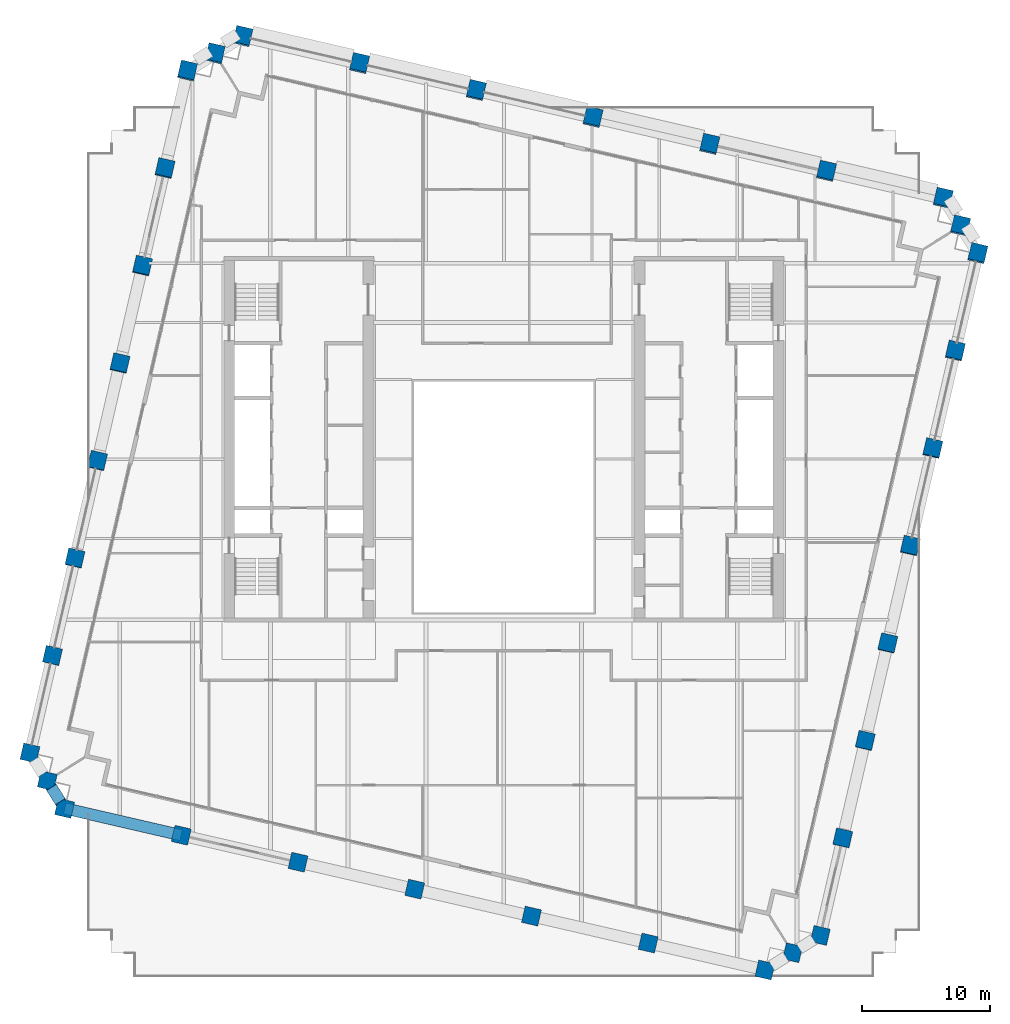
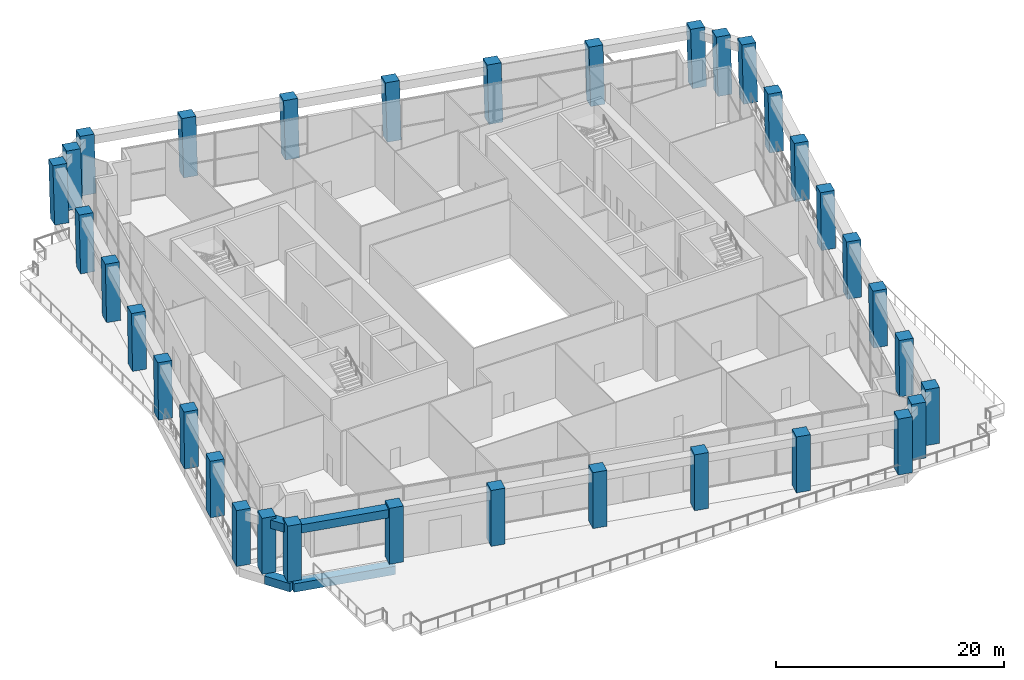
# One storey, part 1 of 23: 34 columns, 4 beams.
"""IFC4 building model written with IfcOpenShell, lengths in metres."""

from ifc_helpers import new_model, si_unit, direction, frame, origin, origin_2d, place, context, subcontext, project, spatial, rectangle, extrude, material, material_profile, profile_set, type_object, element, save


model = new_model("IFC4")

# Units and contexts
model_context = context("Model", 3, precision=1e-05, world=origin(), true_north=direction((0.0, 1.0)))
body_context = subcontext(model_context, "Body", "Model", "MODEL_VIEW")
ifc_project = project(units=[si_unit("LENGTHUNIT", "METRE"), si_unit("AREAUNIT", "SQUARE_METRE"), si_unit("VOLUMEUNIT", "CUBIC_METRE"), si_unit("PLANEANGLEUNIT", "RADIAN"), si_unit("MASSUNIT", "GRAM", prefix="KILO")], contexts=[model_context])

# Site, building, storey
site_placement = place(None, origin())
site = spatial("IfcSite", under=ifc_project, at=site_placement, CompositionType="ELEMENT")
building_placement = place(site_placement, origin())
building = spatial("IfcBuilding", under=site, at=building_placement, Name="Ogive Exchange Tower", CompositionType="ELEMENT")
storey_placement = place(building_placement, frame((0.0, 0.0, 99.60009765625)))
storey = spatial("IfcBuildingStorey", under=building, at=storey_placement, Name="L21", CompositionType="ELEMENT", Elevation=99.60009765625)

# Columns
ifc_material = material(Name="Precast concrete C70/85 (limestone faced)", Category="masonry")
ifc_material_profile_1 = material_profile(ifc_material, rectangle(XDim=1.300048828125, YDim=1.300048828125, at=origin_2d()), Name="1300 x 1300")
ifc_profile_set_1 = profile_set([ifc_material_profile_1], Name="Precast concrete C70/85 (limestone faced)")
column_type = type_object("IfcColumnType", Name="Precast exoskeleton leg 1300 x 1300 C70/85", PredefinedType="COLUMN", material=ifc_profile_set_1)
for number, where, z_axis, x_axis, name in (
    (1, (-34.281982421875, -17.298095703125, 0.0), (0.0, 0.0, 1.0), (0.974370064785, -0.224951054344, 0.0), "Exoskeleton leg 1"),
    (2, (-25.171630859375, -19.401611328125, 0.0), (0.0, 0.0, 1.0), (0.974370064785, -0.224951054344, 0.0), "Exoskeleton leg 2"),
    (3, (-16.061279296875, -21.504638671875, 0.0), (0.0, 0.0, 1.0), (0.974370064785, -0.224951054344, 0.0), "Exoskeleton leg 3"),
    (4, (-6.950927734375, -23.60791015625, 0.0), (0.0, 0.0, 1.0), (0.974370064785, -0.224951054344, 0.0), "Exoskeleton leg 4"),
    (5, (2.159423828125, -25.711181640625, 0.0), (0.0, 0.0, 1.0), (0.974370064785, -0.224951054344, 0.0), "Exoskeleton leg 5"),
    (6, (11.269775390625, -27.814697265625, 0.0), (0.0, 0.0, 1.0), (0.974370064785, -0.224951054344, 0.0), "Exoskeleton leg 6"),
    (7, (20.380126953125, -29.91796875, 0.0), (0.0, 0.0, 1.0), (0.974370064785, -0.224951054344, 0.0), "Exoskeleton leg 7"),
    (8, (24.697509765625, -27.219970703125, 0.0), (0.0, 0.0, 1.0), (0.974370064785, -0.224951054344, 0.0), "Exoskeleton leg 8"),
):
    element("IfcColumn", number, at=place(storey_placement, frame(where, z_axis=z_axis, x_axis=x_axis)), inside=storey, type_object=column_type, Name=name, PredefinedType="COLUMN", context=body_context, shape_type="SweptSolid", body=[
        extrude(rectangle(XDim=1.300048828125, YDim=1.300048828125, at=origin_2d()), origin(), (0.0, 0.0, 1.0), 6.0),
    ])
column_1_placement = place(storey_placement, frame((26.452392578125, -19.619873046875, 0.0), z_axis=(0.002888754049, 0.012653556469, 0.999915767757), x_axis=(-0.974916839878, 0.222569439329, 0.0)))
element("IfcColumn", 9, at=column_1_placement, inside=storey, type_object=column_type, Name="Exoskeleton leg 9", PredefinedType="COLUMN", context=body_context, shape_type="SweptSolid", body=[
    extrude(rectangle(XDim=1.300048828125, YDim=1.300048828125, at=origin_2d()), origin(), (0.0, 0.0, 1.0), 6.00048828125),
])
column_2_placement = place(storey_placement, frame((28.206787109375, -12.019775390625, 0.0), z_axis=(0.005857398783, 0.025300708632, 0.999662725634), x_axis=(-0.974232565058, 0.225545802843, 0.0)))
element("IfcColumn", 10, at=column_2_placement, inside=storey, type_object=column_type, Name="Exoskeleton leg 10", PredefinedType="COLUMN", context=body_context, shape_type="SweptSolid", body=[
    extrude(rectangle(XDim=1.300048828125, YDim=1.300048828125, at=origin_2d()), origin(), (0.0, 0.0, 1.0), 6.001953125),
])
column_3_placement = place(storey_placement, frame((29.96142578125, -4.419677734375, 0.0), z_axis=(0.008782396982, 0.037935075853, 0.999241612186), x_axis=(-0.974232565058, 0.225545802843, 0.0)))
element("IfcColumn", 11, at=column_3_placement, inside=storey, type_object=column_type, Name="Exoskeleton leg 11", PredefinedType="COLUMN", context=body_context, shape_type="SweptSolid", body=[
    extrude(rectangle(XDim=1.300048828125, YDim=1.300048828125, at=origin_2d()), origin(), (0.0, 0.0, 1.0), 6.004638671875),
])
column_4_placement = place(storey_placement, frame((31.716064453125, 3.180419921875, 0.0), z_axis=(0.011662358406, 0.050509796164, 0.998655471065), x_axis=(-0.974364765994, 0.224974004698, 0.0)))
element("IfcColumn", 12, at=column_4_placement, inside=storey, type_object=column_type, Name="Exoskeleton leg 12", PredefinedType="COLUMN", context=body_context, shape_type="SweptSolid", body=[
    extrude(rectangle(XDim=1.300048828125, YDim=1.300048828125, at=origin_2d()), origin(), (0.0, 0.0, 1.0), 6.008056640625),
])
column_5_placement = place(storey_placement, frame((33.470703125, 10.780517578125, 0.0), z_axis=(0.014577044955, 0.063140125085, 0.997898208418), x_axis=(-0.974370069894, 0.224951032214, 0.0)))
element("IfcColumn", 13, at=column_5_placement, inside=storey, type_object=column_type, Name="Exoskeleton leg 13", PredefinedType="COLUMN", context=body_context, shape_type="SweptSolid", body=[
    extrude(rectangle(XDim=1.300048828125, YDim=1.300048828125, at=origin_2d()), origin(), (0.0, 0.0, 1.0), 6.0126953125),
])
column_6_placement = place(storey_placement, frame((35.225341796875, 18.380615234375, 0.0), z_axis=(0.017484427433, 0.075698240349, 0.996977467752), x_axis=(-0.974347174944, 0.225050178135, 0.0)))
element("IfcColumn", 14, at=column_6_placement, inside=storey, type_object=column_type, Name="Exoskeleton leg 14", PredefinedType="COLUMN", context=body_context, shape_type="SweptSolid", body=[
    extrude(rectangle(XDim=1.300048828125, YDim=1.300048828125, at=origin_2d()), origin(), (0.0, 0.0, 1.0), 6.018310546875),
])
for number, where, z_axis, x_axis, name in (
    (15, (36.97998046875, 25.980712890625, 0.0), (0.02038305527, 0.088218511577, 0.995892577175), (-0.97433081589, 0.225120992372, 0.0), "Exoskeleton leg 15"),
    (16, (34.281982421875, 30.298095703125, 0.0), (0.02038305527, 0.088218511577, 0.995892577175), (-0.97433081589, 0.225120992372, 0.0), "Exoskeleton leg 16"),
    (17, (25.171630859375, 32.401611328125, 0.0), (0.020383128121, 0.088178303759, 0.99589613657), (-0.974308119116, 0.225219202167, 0.0), "Exoskeleton leg 17"),
    (18, (16.061279296875, 34.504638671875, 0.0), (0.02038305527, 0.088218511577, 0.995892577175), (-0.97433081589, 0.225120992372, 0.0), "Exoskeleton leg 18"),
    (19, (6.950927734375, 36.60791015625, 0.0), (0.02038305527, 0.088218511577, 0.995892577175), (-0.97433081589, 0.225120992372, 0.0), "Exoskeleton leg 19"),
    (20, (-2.159423828125, 38.711181640625, 0.0), (0.020382982387, 0.088258718964, 0.995889016184), (-0.974353482992, 0.225022865907, 0.0), "Exoskeleton leg 20"),
    (21, (-11.269775390625, 40.814697265625, 0.0), (0.02038305527, 0.088218511577, 0.995892577175), (-0.97433081589, 0.225120992372, 0.0), "Exoskeleton leg 21"),
    (22, (-20.380126953125, 42.91796875, 0.0), (0.02038305527, 0.088218511577, 0.995892577175), (-0.97433081589, 0.225120992372, 0.0), "Exoskeleton leg 22"),
    (23, (-24.697509765625, 40.219970703125, 0.0), (0.020342549083, 0.088218584371, 0.995893398948), (-0.97442890123, 0.224696053476, 0.0), "Exoskeleton leg 23"),
):
    element("IfcColumn", number, at=place(storey_placement, frame(where, z_axis=z_axis, x_axis=x_axis)), inside=storey, type_object=column_type, Name=name, PredefinedType="COLUMN", context=body_context, shape_type="SweptSolid", body=[
        extrude(rectangle(XDim=1.300048828125, YDim=1.300048828125, at=origin_2d()), origin(), (0.0, 0.0, 1.0), 6.024658203125),
    ])
column_7_placement = place(storey_placement, frame((-26.452392578125, 32.619873046875, 0.0), z_axis=(0.017484427433, 0.075698240349, 0.996977467752), x_axis=(-0.974347174944, 0.225050178135, 0.0)))
element("IfcColumn", 24, at=column_7_placement, inside=storey, type_object=column_type, Name="Exoskeleton leg 24", PredefinedType="COLUMN", context=body_context, shape_type="SweptSolid", body=[
    extrude(rectangle(XDim=1.300048828125, YDim=1.300048828125, at=origin_2d()), origin(), (0.0, 0.0, 1.0), 6.018310546875),
])
column_8_placement = place(storey_placement, frame((-28.206787109375, 25.019775390625, 0.0), z_axis=(0.014577044955, 0.063140125085, 0.997898208418), x_axis=(-0.974370069894, 0.224951032214, 0.0)))
element("IfcColumn", 25, at=column_8_placement, inside=storey, type_object=column_type, Name="Exoskeleton leg 25", PredefinedType="COLUMN", context=body_context, shape_type="SweptSolid", body=[
    extrude(rectangle(XDim=1.300048828125, YDim=1.300048828125, at=origin_2d()), origin(), (0.0, 0.0, 1.0), 6.0126953125),
])
column_9_placement = place(storey_placement, frame((-29.96142578125, 17.419677734375, 0.0), z_axis=(0.01166233446, 0.050550327764, 0.998653420521), x_axis=(-0.974404395419, 0.224802300229, 0.0)))
element("IfcColumn", 26, at=column_9_placement, inside=storey, type_object=column_type, Name="Exoskeleton leg 26", PredefinedType="COLUMN", context=body_context, shape_type="SweptSolid", body=[
    extrude(rectangle(XDim=1.300048828125, YDim=1.300048828125, at=origin_2d()), origin(), (0.0, 0.0, 1.0), 6.008056640625),
])
column_10_placement = place(storey_placement, frame((-31.716064453125, 9.819580078125, 0.0), z_axis=(0.008741740851, 0.037935089368, 0.999241968175), x_axis=(-0.974461559539, 0.224554378672, 0.0)))
element("IfcColumn", 27, at=column_10_placement, inside=storey, type_object=column_type, Name="Exoskeleton leg 27", PredefinedType="COLUMN", context=body_context, shape_type="SweptSolid", body=[
    extrude(rectangle(XDim=1.300048828125, YDim=1.300048828125, at=origin_2d()), origin(), (0.0, 0.0, 1.0), 6.004638671875),
])
column_11_placement = place(storey_placement, frame((-33.470703125, 2.219482421875, 0.0), z_axis=(0.005816723784, 0.025300714639, 0.999662962985), x_axis=(-0.974575718587, 0.224058404755, 0.0)))
element("IfcColumn", 28, at=column_11_placement, inside=storey, type_object=column_type, Name="Exoskeleton leg 28", PredefinedType="COLUMN", context=body_context, shape_type="SweptSolid", body=[
    extrude(rectangle(XDim=1.300048828125, YDim=1.300048828125, at=origin_2d()), origin(), (0.0, 0.0, 1.0), 6.001953125),
])
column_12_placement = place(storey_placement, frame((-35.225341796875, -5.380615234375, 0.0), z_axis=(0.002929440379, 0.012653554971, 0.999915649405), x_axis=(-0.974232565058, 0.225545802843, 0.0)))
element("IfcColumn", 29, at=column_12_placement, inside=storey, type_object=column_type, Name="Exoskeleton leg 29", PredefinedType="COLUMN", context=body_context, shape_type="SweptSolid", body=[
    extrude(rectangle(XDim=1.300048828125, YDim=1.300048828125, at=origin_2d()), origin(), (0.0, 0.0, 1.0), 6.00048828125),
])
for number, where, z_axis, x_axis, name in (
    (30, (-36.97998046875, -12.980712890625, 0.0), (0.0, 0.0, 1.0), (0.974370064785, -0.224951054344, 0.0), "Exoskeleton leg 30"),
    (31, (22.538818359375, -28.569091796875, 0.0), (0.0, 0.0, 1.0), (0.974370064785, -0.224951054344, 0.0), "Exoskeleton leg 31"),
):
    element("IfcColumn", number, at=place(storey_placement, frame(where, z_axis=z_axis, x_axis=x_axis)), inside=storey, type_object=column_type, Name=name, PredefinedType="COLUMN", context=body_context, shape_type="SweptSolid", body=[
        extrude(rectangle(XDim=1.300048828125, YDim=1.300048828125, at=origin_2d()), origin(), (0.0, 0.0, 1.0), 6.0),
    ])
for number, where, z_axis, x_axis, name in (
    (32, (35.631103515625, 28.139404296875, 0.0), (0.020342549083, 0.088218584371, 0.995893398948), (-0.97442890123, 0.224696053476, 0.0), "Exoskeleton leg 32"),
    (33, (-22.538818359375, 41.569091796875, 0.0), (0.020342621789, 0.088178376521, 0.995896958351), (-0.97440628778, 0.224794097641, 0.0), "Exoskeleton leg 33"),
):
    element("IfcColumn", number, at=place(storey_placement, frame(where, z_axis=z_axis, x_axis=x_axis)), inside=storey, type_object=column_type, Name=name, PredefinedType="COLUMN", context=body_context, shape_type="SweptSolid", body=[
        extrude(rectangle(XDim=1.300048828125, YDim=1.300048828125, at=origin_2d()), origin(), (0.0, 0.0, 1.0), 6.024658203125),
    ])
column_13_placement = place(storey_placement, frame((-35.631103515625, -15.139404296875, 0.0), z_axis=(0.0, 0.0, 1.0), x_axis=(0.974370064785, -0.224951054344, 0.0)))
element("IfcColumn", 34, at=column_13_placement, inside=storey, type_object=column_type, Name="Exoskeleton leg 34", PredefinedType="COLUMN", context=body_context, shape_type="SweptSolid", body=[
    extrude(rectangle(XDim=1.300048828125, YDim=1.300048828125, at=origin_2d()), origin(), (0.0, 0.0, 1.0), 6.0),
])

# Beams
ifc_material_profile_2 = material_profile(ifc_material, rectangle(XDim=0.89990234375, YDim=0.89990234375, at=origin_2d()), Name="900 x 900")
ifc_profile_set_2 = profile_set([ifc_material_profile_2], Name="Precast concrete C70/85 (limestone faced)")
beam_type_1 = type_object("IfcBeamType", Name="Precast spandrel 900 x 900 C70/85", PredefinedType="SPANDREL", material=ifc_profile_set_2)
beam_1_placement = place(storey_placement, frame((-33.668212890625, -17.43994140625, 5.2998046875), z_axis=(0.974370337884, -0.224949871421, 0.0), x_axis=(0.224949871421, 0.974370337884, 0.0)))
element("IfcBeam", 35, at=beam_1_placement, inside=storey, type_object=beam_type_1, Name="Spandrel 1", PredefinedType="SPANDREL", context=body_context, shape_type="SweptSolid", body=[
    extrude(rectangle(XDim=0.89990234375, YDim=0.89990234375, at=origin_2d()), origin(), (0.0, 0.0, 1.0), 8.08984375),
])
beam_2_placement = place(storey_placement, frame((-35.302978515625, -15.66455078125, 5.2998046875), z_axis=(0.530066093226, -0.847956329543, 0.0), x_axis=(0.847956329543, 0.530066093226, 0.0)))
element("IfcBeam", 36, at=beam_2_placement, inside=storey, type_object=beam_type_1, Name="Spandrel 34", PredefinedType="SPANDREL", context=body_context, shape_type="SweptSolid", body=[
    extrude(rectangle(XDim=0.89990234375, YDim=0.89990234375, at=origin_2d()), origin(), (0.0, 0.0, 1.0), 1.30712890625),
])
ifc_material_profile_3 = material_profile(ifc_material, rectangle(XDim=0.89990234375, YDim=0.89990234375, at=origin_2d()), Name="900 x 900")
ifc_profile_set_3 = profile_set([ifc_material_profile_3], Name="Precast concrete C70/85 (limestone faced)")
beam_type_2 = type_object("IfcBeamType", Name="Precast transfer girder 900 x 900 C70/85", PredefinedType="BEAM", material=ifc_profile_set_3)
beam_3_placement = place(storey_placement, frame((-34.281982421875, -17.298095703125, -0.900146484375), z_axis=(0.974364784413, -0.224973924925, 0.0), x_axis=(0.224973924925, 0.974364784413, 0.0)))
element("IfcBeam", 37, at=beam_3_placement, inside=storey, type_object=beam_type_2, Name="Transfer girder 1", PredefinedType="BEAM", context=body_context, shape_type="SweptSolid", body=[
    extrude(rectangle(XDim=0.89990234375, YDim=0.89990234375, at=origin_2d()), origin(), (0.0, 0.0, 1.0), 9.35009765625),
])
beam_4_placement = place(storey_placement, frame((-35.631103515625, -15.139404296875, -0.900146484375), z_axis=(0.529981698198, -0.848009079889, 0.0), x_axis=(0.848009079889, 0.529981698198, 0.0)))
element("IfcBeam", 38, at=beam_4_placement, inside=storey, type_object=beam_type_2, Name="Transfer girder 34", PredefinedType="BEAM", context=body_context, shape_type="SweptSolid", body=[
    extrude(rectangle(XDim=0.89990234375, YDim=0.89990234375, at=origin_2d()), origin(), (0.0, 0.0, 1.0), 2.545654296875),
])

save(model, "model.ifc")
